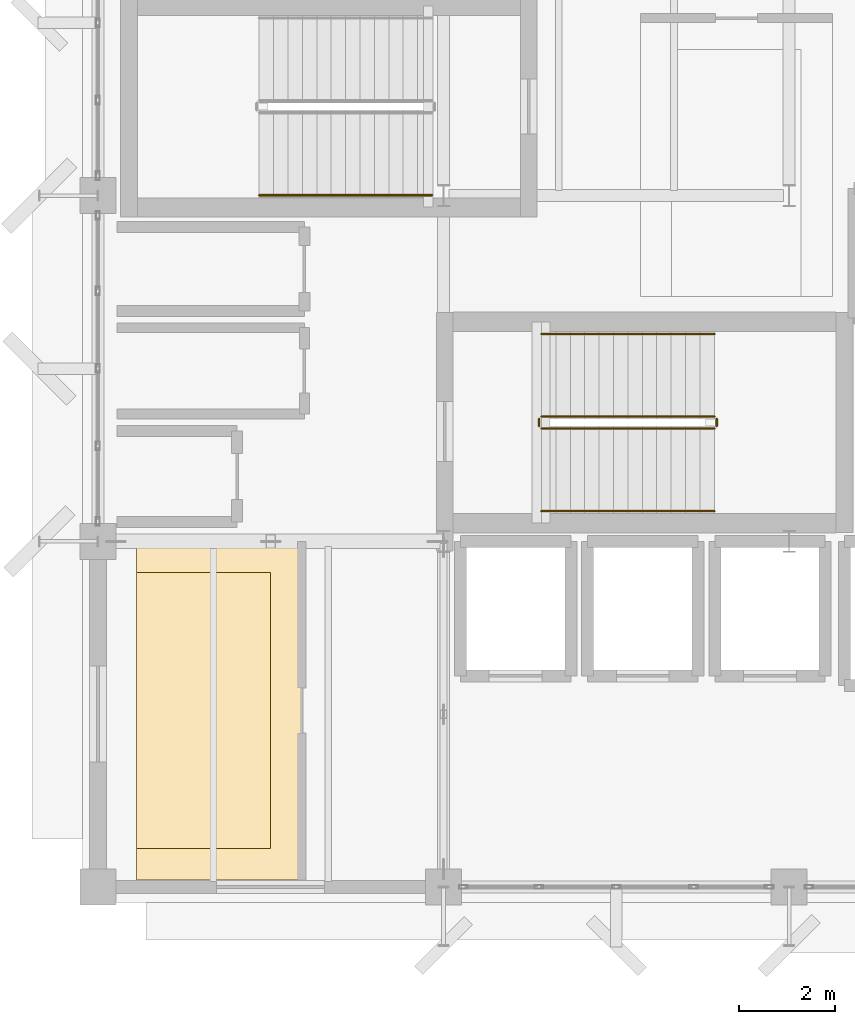
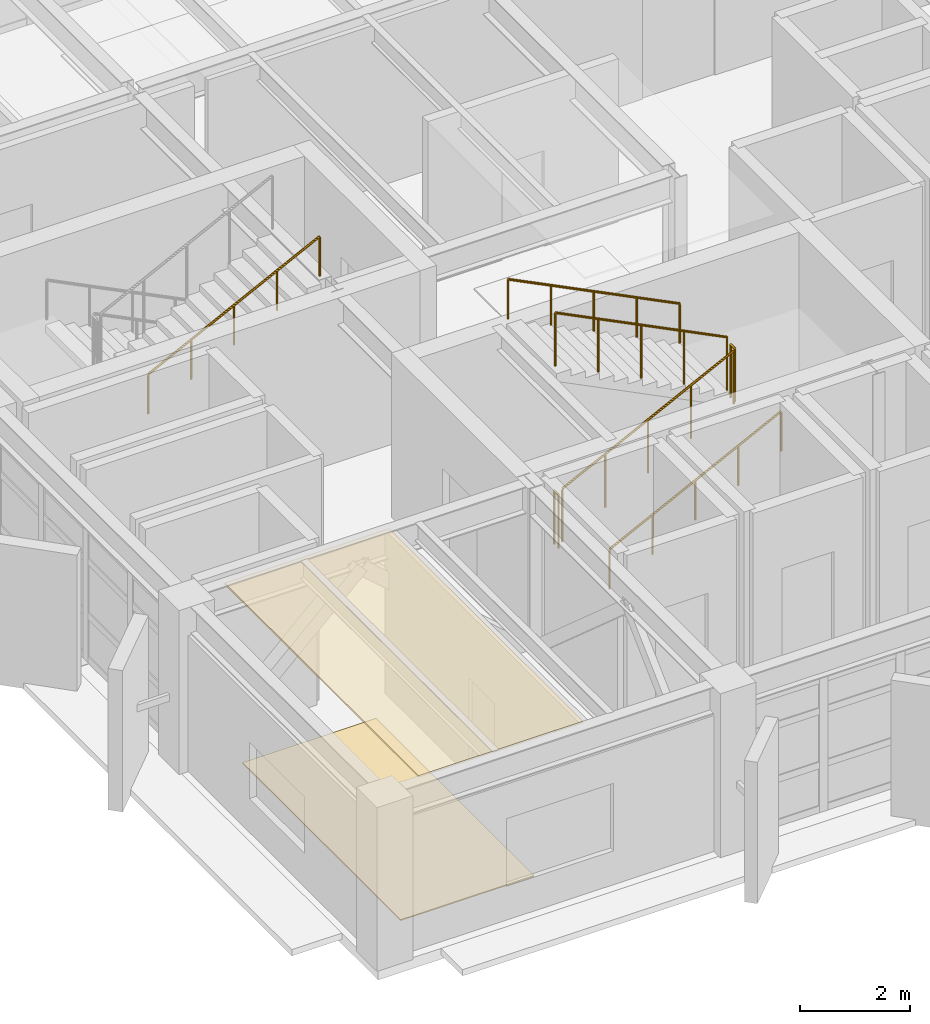
# One storey, part 43 of 48: 7 railings, 2 coverings.
"""IFC4 building model written with IfcOpenShell, lengths in metres."""

import ifcopenshell
import ifcopenshell.guid

model = None  # the IFC model being written
_history = None  # IfcOwnerHistory: only IFC2X3 demands one
_inside = {}  # id of a spatial element -> (the spatial element, [elements in it])
_under = {}  # id of a project, library or spatial element -> (it, [spatial elements below it])
_declared = {}  # id of a project -> (the project, [libraries it declares])
_typed = {}  # id of a type object -> (the type object, [elements of that type])
_made_of = {}  # id of a material, layer set ... -> (it, [elements and type objects made of it])


def new_model(schema):
    """Start an empty IFC model of exactly this schema.

    Asked for "IFC4X3", IfcOpenShell would pick the latest addendum, in which some entities
    have other attributes; the version numbers below select the first issue.
    IFC2X3 requires an IfcOwnerHistory on every rooted entity: one is made here for all.
    """
    global model, _history
    if schema == "IFC4X3":
        model = ifcopenshell.file(schema_version=(4, 3, 0, 0))
    else:
        model = ifcopenshell.file(schema=schema)
    _inside.clear()
    _under.clear()
    _declared.clear()
    _typed.clear()
    _made_of.clear()
    _history = None
    if model.schema == "IFC2X3":
        org = make("IfcOrganization", Name="unknown")
        user = make(
            "IfcPersonAndOrganization",
            ThePerson=make("IfcPerson", FamilyName="unknown"),
            TheOrganization=org,
        )
        app = make(
            "IfcApplication",
            ApplicationDeveloper=org,
            Version="unknown",
            ApplicationFullName="unknown",
            ApplicationIdentifier="unknown",
        )
        _history = make(
            "IfcOwnerHistory",
            OwningUser=user,
            OwningApplication=app,
            ChangeAction="ADDED",
            CreationDate=0,
        )
    return model


def make(cls, **values):
    """One entity of the class cls with the attributes given. An attribute that is None is left unset."""
    return model.create_entity(
        cls, **{name: value for name, value in values.items() if value is not None}
    )


def rooted(cls, **values):
    """An entity with a GlobalId (a new one), such as an element, a storey or a relation."""
    return make(cls, GlobalId=ifcopenshell.guid.new(), OwnerHistory=_history, **values)


def si_unit(unit_type, name, prefix=None):
    """IfcSIUnit, for example si_unit("LENGTHUNIT", "METRE", prefix="MILLI")."""
    return make("IfcSIUnit", UnitType=unit_type, Prefix=prefix, Name=name)


def assignment(units):
    """IfcUnitAssignment: the units of a project."""
    return None if units is None else make("IfcUnitAssignment", Units=units)


def point(xyz):
    """IfcCartesianPoint."""
    return None if xyz is None else make("IfcCartesianPoint", Coordinates=xyz)


def direction(xyz):
    """IfcDirection."""
    return None if xyz is None else make("IfcDirection", DirectionRatios=xyz)


def frame(location, z_axis=None, x_axis=None):
    """IfcAxis2Placement3D, a coordinate frame: its origin and axes. An axis left out is left unset."""
    return make(
        "IfcAxis2Placement3D",
        Location=point(location),
        Axis=direction(z_axis),
        RefDirection=direction(x_axis),
    )


def frame_2d(location, x_axis=None):
    """IfcAxis2Placement2D, a coordinate frame in the plane: its origin and x axis."""
    return make(
        "IfcAxis2Placement2D", Location=point(location), RefDirection=direction(x_axis)
    )


def origin():
    """The frame at (0, 0, 0) with its axes left unset."""
    return frame((0.0, 0.0, 0.0))


def origin_2d():
    """The frame at (0, 0) in the plane with its x axis left unset."""
    return frame_2d((0.0, 0.0))


def place(relative_to, where):
    """IfcLocalPlacement: puts the frame where relative to a parent placement (None: the world)."""
    return make(
        "IfcLocalPlacement", PlacementRelTo=relative_to, RelativePlacement=where
    )


def context(
    kind, dimensions, precision=None, world=None, true_north=None, identifier=None
):
    """IfcGeometricRepresentationContext, for example the 3D "Model" context."""
    return make(
        "IfcGeometricRepresentationContext",
        ContextIdentifier=identifier,
        ContextType=kind,
        CoordinateSpaceDimension=dimensions,
        Precision=precision,
        WorldCoordinateSystem=world,
        TrueNorth=true_north,
    )


def subcontext(parent, identifier, kind, view, scale=None):
    """IfcGeometricRepresentationSubContext, for example "Body" below "Model"."""
    return make(
        "IfcGeometricRepresentationSubContext",
        ContextIdentifier=identifier,
        ContextType=kind,
        ParentContext=parent,
        TargetScale=scale,
        TargetView=view,
    )


def project(units=None, contexts=None):
    """IfcProject with its units and contexts."""
    return rooted(
        "IfcProject",
        Name="project",
        RepresentationContexts=contexts,
        UnitsInContext=assignment(units),
    )


def spatial(cls, under=None, at=None, **own):
    """A site, building, storey or space (cls), placed at a placement, below another one or the project."""
    s = rooted(cls, ObjectPlacement=at, **own)
    if under is not None:
        _under.setdefault(under.id(), (under, []))[1].append(s)
    return s


def polyline(points):
    """IfcPolyline through the points."""
    return make("IfcPolyline", Points=[point(p) for p in points])


def profile(cls, at=None, kind="AREA", **sizes):
    """A parametric profile (cls). Its sizes go by their IFC names, for example OverallWidth=200.0."""
    return make(cls, ProfileType=kind, Position=at, **sizes)


def circle(**sizes):
    """IfcCircleProfileDef."""
    return profile("IfcCircleProfileDef", **sizes)


def outline(outer, holes=None, kind="AREA"):
    """IfcArbitraryClosedProfileDef: a profile drawn as a closed curve; with holes, ...WithVoids."""
    if holes is None:
        return make("IfcArbitraryClosedProfileDef", ProfileType=kind, OuterCurve=outer)
    return make(
        "IfcArbitraryProfileDefWithVoids",
        ProfileType=kind,
        OuterCurve=outer,
        InnerCurves=holes,
    )


def extrude(swept, where, along, depth):
    """IfcExtrudedAreaSolid: the profile swept, set in the frame where, extruded along a direction by depth."""
    return make(
        "IfcExtrudedAreaSolid",
        SweptArea=swept,
        Position=where,
        ExtrudedDirection=direction(along),
        Depth=depth,
    )


def shape(context_of_items, identifier, shape_type, items):
    """IfcShapeRepresentation: the items that make up one representation, for example the "Body"."""
    return make(
        "IfcShapeRepresentation",
        ContextOfItems=context_of_items,
        RepresentationIdentifier=identifier,
        RepresentationType=shape_type,
        Items=items,
    )


def material(Name=None, Category=None):
    """IfcMaterial."""
    return make("IfcMaterial", Name=Name, Category=Category)


def layer(
    of_material, thickness, ventilated=None, Name=None, Category=None, Priority=None
):
    """IfcMaterialLayer: one layer of a wall or slab, of a material (None: an air gap)."""
    return make(
        "IfcMaterialLayer",
        Material=of_material,
        LayerThickness=thickness,
        IsVentilated=ventilated,
        Name=Name,
        Category=Category,
        Priority=Priority,
    )


def layer_set(layers, Name=None):
    """IfcMaterialLayerSet."""
    return make("IfcMaterialLayerSet", MaterialLayers=layers, LayerSetName=Name)


def made_of(thing, what):
    """Note that an element or type object is made of a material, layer set ...; save() writes the relation."""
    if what is not None:
        _made_of.setdefault(what.id(), (what, []))[1].append(thing)
    return thing


def type_object(cls, material=None, **own):
    """A type object (cls), such as IfcWallType, which elements share."""
    return made_of(rooted(cls, **own), material)


def element(
    cls,
    number,
    at=None,
    inside=None,
    cuts=None,
    type_object=None,
    material=None,
    context=None,
    identifier="Body",
    shape_type=None,
    held_by="IfcProductDefinitionShape",
    body=None,
    shapes=None,
    **own,
):
    """One element of the class cls, such as IfcWall. Its Tag is "e" and its number.

    at: its placement. inside: the storey or other place that contains it. cuts: it is an
    opening in that element (IfcRelVoidsElement). A single representation is given by context,
    identifier, shape_type and body (its items); several are given by shapes. held_by: the class
    of the entity that holds the representations. save() writes the other relations.
    """
    e = rooted(cls, Tag="e%d" % number, ObjectPlacement=at, **own)
    if body is not None:
        shapes = [shape(context, identifier, shape_type, body)]
    if shapes is not None:
        e.Representation = make(held_by, Representations=shapes)
    if inside is not None:
        _inside.setdefault(inside.id(), (inside, []))[1].append(e)
    if cuts is not None:
        rooted(
            "IfcRelVoidsElement", RelatingBuildingElement=cuts, RelatedOpeningElement=e
        )
    if type_object is not None:
        _typed.setdefault(type_object.id(), (type_object, []))[1].append(e)
    return made_of(e, material)


def aggregate(whole, parts):
    """IfcRelAggregates: a whole, such as a stair, and the parts it consists of."""
    return rooted("IfcRelAggregates", RelatingObject=whole, RelatedObjects=parts)


def save(model, path):
    """Write the relations noted so far, then the file.

    IfcRelAggregates (storeys below a building ...), IfcRelContainedInSpatialStructure (elements
    in a storey), IfcRelDefinesByType, IfcRelAssociatesMaterial and IfcRelDeclares: one each for
    every whole, place, type object, material and project.
    """
    for whole, parts in _under.values():
        aggregate(whole, parts)
    for where, things in _inside.values():
        rooted(
            "IfcRelContainedInSpatialStructure",
            RelatedElements=things,
            RelatingStructure=where,
        )
    for kind, things in _typed.values():
        rooted("IfcRelDefinesByType", RelatedObjects=things, RelatingType=kind)
    for what, things in _made_of.values():
        rooted("IfcRelAssociatesMaterial", RelatedObjects=things, RelatingMaterial=what)
    for by, libraries in _declared.values():
        rooted("IfcRelDeclares", RelatingContext=by, RelatedDefinitions=libraries)
    model.write(path)


model = new_model("IFC4")

# Units and contexts
model_context = context("Model", 3, precision=1e-05, world=origin(), true_north=direction((0.0, 1.0)))
body_context = subcontext(model_context, "Body", "Model", "MODEL_VIEW")
ifc_project = project(units=[si_unit("LENGTHUNIT", "METRE"), si_unit("AREAUNIT", "SQUARE_METRE"), si_unit("VOLUMEUNIT", "CUBIC_METRE"), si_unit("PLANEANGLEUNIT", "RADIAN"), si_unit("MASSUNIT", "GRAM", prefix="KILO")], contexts=[model_context])

# Site, building, storey
site_placement = place(None, origin())
site = spatial("IfcSite", under=ifc_project, at=site_placement, CompositionType="ELEMENT")
building_placement = place(site_placement, origin())
building = spatial("IfcBuilding", under=site, at=building_placement, Name="Kandorven Conservatory and Botanical Research Centre", CompositionType="ELEMENT")
storey_placement = place(building_placement, frame((0.0, 0.0, 13.199951171875)))
storey = spatial("IfcBuildingStorey", under=building, at=storey_placement, Name="L03", CompositionType="ELEMENT", Elevation=13.199951171875)

# Coverings
ifc_material_1 = material(Name="Perforated mineral-fibre acoustic ceiling tile", Category="gypsum")
ifc_layer_1 = layer(ifc_material_1, 0.0400390625)
ifc_layer_set_1 = layer_set([ifc_layer_1], Name="Perforated mineral-fibre acoustic ceiling tile")
covering_type_1 = type_object("IfcCoveringType", Name="Cov_Ceiling_1", PredefinedType="CEILING", material=ifc_layer_set_1)
covering_1_placement = place(storey_placement, frame((0.0, 0.0, 3.574951171875)))
element("IfcCovering", 1, at=covering_1_placement, inside=storey, type_object=covering_type_1, Name="Suspended acoustic ceiling CLG-01 (Botanical Chemotaxonomy Research Laboratory L03)", PredefinedType="CEILING", context=body_context, shape_type="SweptSolid", body=[
    extrude(outline(polyline([(6.800048828125, 6.14990234375), (10.25, 6.14990234375), (10.25, 13.199951171875), (6.800048828125, 13.199951171875), (6.800048828125, 6.14990234375)])), origin(), (0.0, 0.0, 1.0), 0.0400390625),
])
ifc_material_2 = material(Name="Honed Kota stone and epoxy laboratory flooring", Category="masonry")
ifc_layer_2 = layer(ifc_material_2, 0.02490234375)
ifc_layer_set_2 = layer_set([ifc_layer_2], Name="Honed Kota stone and epoxy laboratory flooring")
covering_type_2 = type_object("IfcCoveringType", Name="Cov_Flooring_1", PredefinedType="FLOORING", material=ifc_layer_set_2)
covering_2_placement = place(storey_placement, origin())
element("IfcCovering", 2, at=covering_2_placement, inside=storey, type_object=covering_type_2, Name="Floor finish FLR-01 (Botanical Chemotaxonomy Research Laboratory L03)", PredefinedType="FLOORING", context=body_context, shape_type="SweptSolid", body=[
    extrude(outline(polyline([(6.800048828125, 6.800048828125), (9.60009765625, 6.800048828125), (9.60009765625, 12.550048828125), (6.800048828125, 12.550048828125), (6.800048828125, 6.800048828125)])), origin(), (0.0, 0.0, 1.0), 0.025146484375),
])

# Railings
ifc_material_3 = material(Name="Steel S355 (IS 2062 E350)", Category="steel")
railing_type_1 = type_object("IfcRailingType", Name="StairGuard_1150", PredefinedType="BALUSTRADE", material=ifc_material_3)
railing_1_placement = place(storey_placement, frame((15.239990234375, 15.550048828125, 0.150146484375)))
element("IfcRailing", 3, at=railing_1_placement, inside=storey, type_object=railing_type_1, Name="L03 ST-T1 stair guard 1", PredefinedType="BALUSTRADE", context=body_context, shape_type="SweptSolid", body=[
    extrude(circle(Radius=0.02392578125, at=origin_2d()), frame((0.0, 0.0, 1.17578125), z_axis=(0.894451452574, 0.0, 0.447165069061), x_axis=(0.0, 1.0, 0.0)), (0.0, 0.0, 1.0), 4.02490234375),
    extrude(circle(Radius=0.02099609375, at=origin_2d()), origin(), (0.0, 0.0, 1.0), 1.15185546875),
    extrude(circle(Radius=0.02099609375, at=origin_2d()), frame((0.89990234375, 0.0, 0.449951171875)), (0.0, 0.0, 1.0), 1.15185546875),
    extrude(circle(Radius=0.02099609375, at=origin_2d()), frame((1.800048828125, 0.0, 0.89990234375)), (0.0, 0.0, 1.0), 1.15185546875),
    extrude(circle(Radius=0.02099609375, at=origin_2d()), frame((2.7001953125, 0.0, 1.349853515625)), (0.0, 0.0, 1.0), 1.15185546875),
    extrude(circle(Radius=0.02099609375, at=origin_2d()), frame((3.60009765625, 0.0, 1.7998046875)), (0.0, 0.0, 1.0), 1.15185546875),
])
railing_2_placement = place(storey_placement, frame((18.889892578125, 15.60009765625, 1.949951171875)))
element("IfcRailing", 4, at=railing_2_placement, inside=storey, type_object=railing_type_1, Name="L03 ST-T1 stair guard 2", PredefinedType="BALUSTRADE", context=body_context, shape_type="SweptSolid", body=[
    extrude(circle(Radius=0.02392578125, at=origin_2d()), frame((0.0, 0.0, 1.17578125), z_axis=(0.0, 1.0, 0.0), x_axis=(-1.0, 0.0, 0.0)), (0.0, 0.0, 1.0), 0.14990234375),
    extrude(circle(Radius=0.02099609375, at=origin_2d()), origin(), (0.0, 0.0, 1.0), 1.15185546875),
    extrude(circle(Radius=0.02099609375, at=origin_2d()), frame((0.0, 0.14990234375, 0.0)), (0.0, 0.0, 1.0), 1.15185546875),
])
railing_3_placement = place(storey_placement, frame((18.840087890625, 15.800048828125, 2.10009765625)))
element("IfcRailing", 5, at=railing_3_placement, inside=storey, type_object=railing_type_1, Name="L03 ST-T1 stair guard 3", PredefinedType="BALUSTRADE", context=body_context, shape_type="SweptSolid", body=[
    extrude(circle(Radius=0.02392578125, at=origin_2d()), frame((0.0, 0.0, 1.17578125), z_axis=(-0.894427191, 0.0, 0.4472135955), x_axis=(0.0, -1.0, 0.0)), (0.0, 0.0, 1.0), 4.025146484375),
    extrude(circle(Radius=0.02099609375, at=origin_2d()), origin(), (0.0, 0.0, 1.0), 1.15185546875),
    extrude(circle(Radius=0.02099609375, at=origin_2d()), frame((-0.89990234375, 0.0, 0.449951171875)), (0.0, 0.0, 1.0), 1.15185546875),
    extrude(circle(Radius=0.02099609375, at=origin_2d()), frame((-1.800048828125, 0.0, 0.89990234375)), (0.0, 0.0, 1.0), 1.15185546875),
    extrude(circle(Radius=0.02099609375, at=origin_2d()), frame((-2.7001953125, 0.0, 1.35009765625)), (0.0, 0.0, 1.0), 1.15185546875),
    extrude(circle(Radius=0.02099609375, at=origin_2d()), frame((-3.60009765625, 0.0, 1.800048828125)), (0.0, 0.0, 1.0), 1.15185546875),
])
railing_4_placement = place(storey_placement, frame((15.18994140625, 15.60009765625, 0.0)))
element("IfcRailing", 6, at=railing_4_placement, inside=storey, type_object=railing_type_1, Name="L03 ST-T1 stair guard 4", PredefinedType="BALUSTRADE", context=body_context, shape_type="SweptSolid", body=[
    extrude(circle(Radius=0.02392578125, at=origin_2d()), frame((0.0, 0.0, 1.17578125), z_axis=(0.0, 1.0, 0.0), x_axis=(-1.0, 0.0, 0.0)), (0.0, 0.0, 1.0), 0.14990234375),
    extrude(circle(Radius=0.02099609375, at=origin_2d()), origin(), (0.0, 0.0, 1.0), 1.15185546875),
    extrude(circle(Radius=0.02099609375, at=origin_2d()), frame((0.0, 0.14990234375, 0.0)), (0.0, 0.0, 1.0), 1.15185546875),
])
ifc_material_4 = material(Name="Steel S355 (IS 2062 E350)", Category="steel")
railing_type_2 = type_object("IfcRailingType", Name="StairHandrail_900", PredefinedType="HANDRAIL", material=ifc_material_4)
railing_5_placement = place(storey_placement, frame((15.239990234375, 13.830078125, 0.150146484375)))
element("IfcRailing", 7, at=railing_5_placement, inside=storey, type_object=railing_type_2, Name="L03 ST-T1 stair handrail 1", PredefinedType="HANDRAIL", context=body_context, shape_type="SweptSolid", body=[
    extrude(circle(Radius=0.02392578125, at=origin_2d()), frame((0.0, 0.0, 0.8759765625), z_axis=(0.894451452574, 0.0, 0.447165069061), x_axis=(0.0, 1.0, 0.0)), (0.0, 0.0, 1.0), 4.02490234375),
    extrude(circle(Radius=0.02099609375, at=origin_2d()), origin(), (0.0, 0.0, 1.0), 0.851806640625),
    extrude(circle(Radius=0.02099609375, at=origin_2d()), frame((0.89990234375, 0.0, 0.449951171875)), (0.0, 0.0, 1.0), 0.851806640625),
    extrude(circle(Radius=0.02099609375, at=origin_2d()), frame((1.800048828125, 0.0, 0.89990234375)), (0.0, 0.0, 1.0), 0.851806640625),
    extrude(circle(Radius=0.02099609375, at=origin_2d()), frame((2.7001953125, 0.0, 1.349853515625)), (0.0, 0.0, 1.0), 0.851806640625),
    extrude(circle(Radius=0.02099609375, at=origin_2d()), frame((3.60009765625, 0.0, 1.7998046875)), (0.0, 0.0, 1.0), 0.851806640625),
])
railing_6_placement = place(storey_placement, frame((18.840087890625, 17.52001953125, 2.10009765625)))
element("IfcRailing", 8, at=railing_6_placement, inside=storey, type_object=railing_type_2, Name="L03 ST-T1 stair handrail 2", PredefinedType="HANDRAIL", context=body_context, shape_type="SweptSolid", body=[
    extrude(circle(Radius=0.02392578125, at=origin_2d()), frame((0.0, 0.0, 0.8759765625), z_axis=(-0.894427191, 0.0, 0.4472135955), x_axis=(0.0, -1.0, 0.0)), (0.0, 0.0, 1.0), 4.025146484375),
    extrude(circle(Radius=0.02099609375, at=origin_2d()), origin(), (0.0, 0.0, 1.0), 0.851806640625),
    extrude(circle(Radius=0.02099609375, at=origin_2d()), frame((-0.89990234375, 0.0, 0.449951171875)), (0.0, 0.0, 1.0), 0.851806640625),
    extrude(circle(Radius=0.02099609375, at=origin_2d()), frame((-1.800048828125, 0.0, 0.89990234375)), (0.0, 0.0, 1.0), 0.851806640625),
    extrude(circle(Radius=0.02099609375, at=origin_2d()), frame((-2.7001953125, 0.0, 1.35009765625)), (0.0, 0.0, 1.0), 0.851806640625),
    extrude(circle(Radius=0.02099609375, at=origin_2d()), frame((-3.60009765625, 0.0, 1.800048828125)), (0.0, 0.0, 1.0), 0.851806640625),
])
railing_7_placement = place(storey_placement, frame((9.360107421875, 20.409912109375, 2.10009765625)))
element("IfcRailing", 9, at=railing_7_placement, inside=storey, type_object=railing_type_2, Name="L03 ST-T2 stair handrail 2", PredefinedType="HANDRAIL", context=body_context, shape_type="SweptSolid", body=[
    extrude(circle(Radius=0.02392578125, at=origin_2d()), frame((0.0, 0.0, 0.8759765625), z_axis=(0.894415058897, 0.0, 0.447237858884), x_axis=(0.0, 1.0, 0.0)), (0.0, 0.0, 1.0), 4.02490234375),
    extrude(circle(Radius=0.02099609375, at=origin_2d()), origin(), (0.0, 0.0, 1.0), 0.851806640625),
    extrude(circle(Radius=0.02099609375, at=origin_2d()), frame((0.89990234375, 0.0, 0.449951171875)), (0.0, 0.0, 1.0), 0.851806640625),
    extrude(circle(Radius=0.02099609375, at=origin_2d()), frame((1.7998046875, 0.0, 0.89990234375)), (0.0, 0.0, 1.0), 0.851806640625),
    extrude(circle(Radius=0.02099609375, at=origin_2d()), frame((2.699951171875, 0.0, 1.35009765625)), (0.0, 0.0, 1.0), 0.851806640625),
    extrude(circle(Radius=0.02099609375, at=origin_2d()), frame((3.599853515625, 0.0, 1.800048828125)), (0.0, 0.0, 1.0), 0.851806640625),
])

save(model, "model.ifc")
